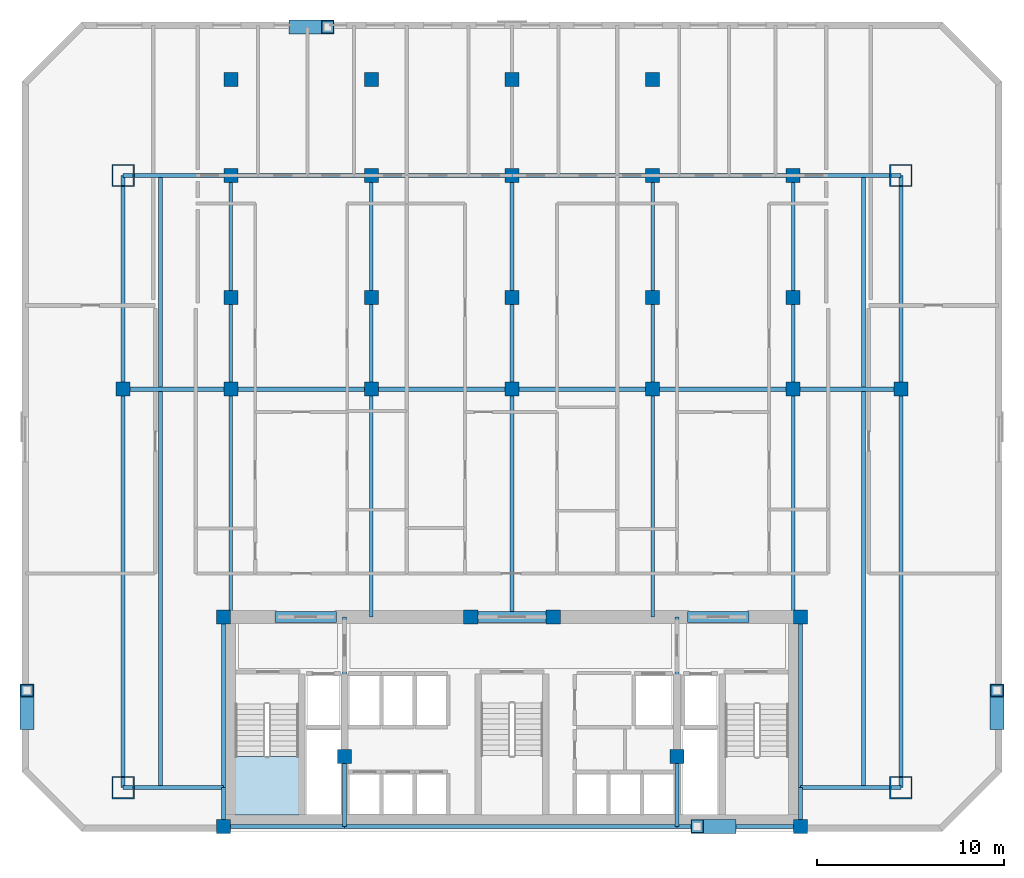
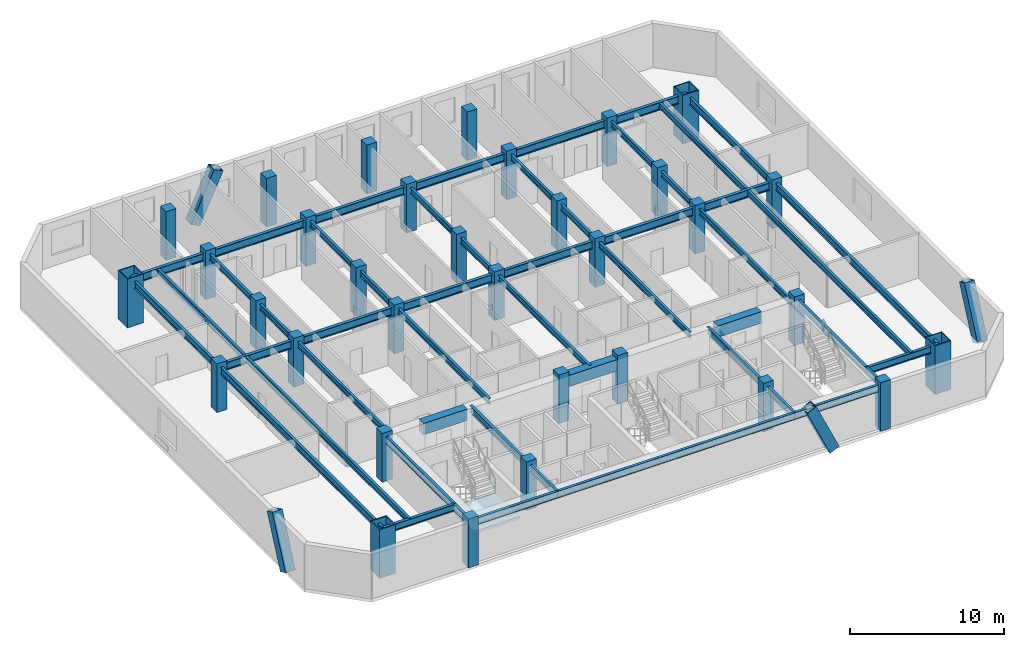
# One storey, part 1 of 8: 46 beams, 33 columns, 4 members, 1 slab, 1 element without a shape of its own.
"""IFC4 building model written with IfcOpenShell, lengths in metres."""

from ifc_helpers import new_model, si_unit, direction, frame, origin, origin_2d, place, context, subcontext, project, spatial, polyline, rectangle, hollow_rectangle, i_section, outline, extrude, material, layer, layer_set, material_profile, profile_set, type_object, element, aggregate, save


model = new_model("IFC4")

# Units and contexts
model_context = context("Model", 3, precision=1e-05, world=origin(), true_north=direction((0.0, 1.0)))
body_context = subcontext(model_context, "Body", "Model", "MODEL_VIEW")
ifc_project = project(units=[si_unit("LENGTHUNIT", "METRE"), si_unit("AREAUNIT", "SQUARE_METRE"), si_unit("VOLUMEUNIT", "CUBIC_METRE"), si_unit("PLANEANGLEUNIT", "RADIAN"), si_unit("MASSUNIT", "GRAM", prefix="KILO")], contexts=[model_context])

# Site, building, storey
site_placement = place(None, origin())
site = spatial("IfcSite", under=ifc_project, at=site_placement, CompositionType="ELEMENT")
building_placement = place(site_placement, origin())
building = spatial("IfcBuilding", under=site, at=building_placement, Name="Ventersveld Concourse Tower", CompositionType="ELEMENT")
storey_placement = place(building_placement, frame((0.0, 0.0, 131.10009765625)))
storey = spatial("IfcBuildingStorey", under=building, at=storey_placement, Name="L32", CompositionType="ELEMENT", Elevation=131.10009765625)

# Columns
ifc_material_1 = material(Name="Concrete C50/60", Category="concrete")
ifc_material_profile_1 = material_profile(ifc_material_1, rectangle(XDim=0.75, YDim=0.75, at=origin_2d()), Name="RC 750x750")
ifc_profile_set_1 = profile_set([ifc_material_profile_1], Name="Concrete C50/60")
column_type_1 = type_object("IfcColumnType", Name="COL-RC750", PredefinedType="COLUMN", material=ifc_profile_set_1)
for number, where, z_axis, x_axis, name in (
    (1, (13.35009765625, 0.280029296875, 0.0), (0.0, 0.0, 1.0), (1.0, 0.0, 0.0), "L32 Core Spine Column CC-SW"),
    (2, (44.14990234375, 0.280029296875, 0.0), (0.0, 0.0, 1.0), (1.0, 0.0, 0.0), "L32 Core Spine Column CC-SE"),
    (3, (13.35009765625, 11.449951171875, 0.0), (0.0, 0.0, 1.0), (1.0, 0.0, 0.0), "L32 Core Spine Column CC-NW"),
    (4, (44.14990234375, 11.449951171875, 0.0), (0.0, 0.0, 1.0), (1.0, 0.0, 0.0), "L32 Core Spine Column CC-NE"),
    (5, (19.820068359375, 4.0, 0.0), (0.0, 0.0, 1.0), (1.0, 0.0, 0.0), "L32 Core Spine Column CM-1"),
    (6, (37.550048828125, 4.0, 0.0), (0.0, 0.0, 1.0), (1.0, 0.0, 0.0), "L32 Core Spine Column CM-2"),
    (7, (26.550048828125, 11.449951171875, 0.0), (0.0, 0.0, 1.0), (1.0, 0.0, 0.0), "L32 Core Spine Column CM-3"),
    (8, (30.949951171875, 11.449951171875, 0.0), (0.0, 0.0, 1.0), (1.0, 0.0, 0.0), "L32 Core Spine Column CM-4"),
    (9, (8.0, 23.60009765625, 0.0), (0.0, 0.0, 1.0), (1.0, 0.0, 0.0), "L32 Interior Gravity Column X=8.00 Y=23.60"),
    (10, (13.75, 23.60009765625, 0.0), (0.0, 0.0, 1.0), (1.0, 0.0, 0.0), "L32 Interior Gravity Column X=13.75 Y=23.60"),
    (11, (21.25, 23.60009765625, 0.0), (0.0, 0.0, 1.0), (1.0, 0.0, 0.0), "L32 Interior Gravity Column X=21.25 Y=23.60"),
    (12, (28.75, 23.60009765625, 0.0), (0.0, 0.0, 1.0), (1.0, 0.0, 0.0), "L32 Interior Gravity Column X=28.75 Y=23.60"),
    (13, (36.25, 23.60009765625, 0.0), (0.0, 0.0, 1.0), (1.0, 0.0, 0.0), "L32 Interior Gravity Column X=36.25 Y=23.60"),
    (14, (43.75, 23.60009765625, 0.0), (0.0, 0.0, 1.0), (1.0, 0.0, 0.0), "L32 Interior Gravity Column X=43.75 Y=23.60"),
    (15, (49.5, 23.60009765625, 0.0), (0.0, 0.0, 1.0), (1.0, 0.0, 0.0), "L32 Interior Gravity Column X=49.50 Y=23.60"),
    (16, (13.75, 28.5, 0.0), (0.0, 0.0, 1.0), (1.0, 0.0, 0.0), "L32 Upper-North Gravity Column X=13.75 Y=28.50"),
    (17, (21.25, 28.5, 0.0), (0.0, 0.0, 1.0), (1.0, 0.0, 0.0), "L32 Upper-North Gravity Column X=21.25 Y=28.50"),
    (18, (28.75, 28.5, 0.0), (0.0, 0.0, 1.0), (1.0, 0.0, 0.0), "L32 Upper-North Gravity Column X=28.75 Y=28.50"),
    (19, (36.25, 28.5, 0.0), (0.0, 0.0, 1.0), (1.0, 0.0, 0.0), "L32 Upper-North Gravity Column X=36.25 Y=28.50"),
    (20, (43.75, 28.5, 0.0), (0.0, 0.0, 1.0), (1.0, 0.0, 0.0), "L32 Upper-North Gravity Column X=43.75 Y=28.50"),
    (21, (13.75, 40.1201171875, 0.0), (0.0, 0.0, 1.0), (1.0, 0.0, 0.0), "L32 North Brace Node Column X=13.75 Y=40.12"),
    (22, (21.25, 40.1201171875, 0.0), (0.0, 0.0, 1.0), (1.0, 0.0, 0.0), "L32 North Brace Node Column X=21.25 Y=40.12"),
    (23, (28.75, 40.1201171875, 0.0), (0.0, 0.0, 1.0), (1.0, 0.0, 0.0), "L32 North Brace Node Column X=28.75 Y=40.12"),
    (24, (36.25, 40.1201171875, 0.0), (0.0, 0.0, 1.0), (1.0, 0.0, 0.0), "L32 North Brace Node Column X=36.25 Y=40.12"),
    (25, (13.75, 35.0, 0.0), (0.0, 0.0, 1.0), (1.0, 0.0, 0.0), "L32 Mid-North Column X=13.75 Y=35.00"),
    (26, (21.25, 35.0, 0.0), (0.0, 0.0, 1.0), (1.0, 0.0, 0.0), "L32 Mid-North Column X=21.25 Y=35.00"),
    (27, (28.75, 35.0, 0.0), (0.0, 0.0, 1.0), (1.0, 0.0, 0.0), "L32 Mid-North Column X=28.75 Y=35.00"),
    (28, (36.25, 35.0, 0.0), (0.0, 0.0, 1.0), (1.0, 0.0, 0.0), "L32 Mid-North Column X=36.25 Y=35.00"),
    (29, (43.75, 35.0, 0.0), (0.0, 0.0, 1.0), (1.0, 0.0, 0.0), "L32 Mid-North Column X=43.75 Y=35.00"),
):
    element("IfcColumn", number, at=place(storey_placement, frame(where, z_axis=z_axis, x_axis=x_axis)), inside=storey, type_object=column_type_1, Name=name, PredefinedType="COLUMN", context=body_context, shape_type="SweptSolid", body=[
        extrude(rectangle(XDim=0.75, YDim=0.75, at=origin_2d()), origin(), (0.0, 0.0, 1.0), 3.849853515625),
    ])
ifc_material_2 = material(Name="Structural steel S460ML", Category="steel")
ifc_material_profile_2 = material_profile(ifc_material_2, hollow_rectangle(XDim=1.199951171875, YDim=1.199951171875, WallThickness=0.070068359375, at=origin_2d()), Name="BOX 1200x1200x70")
ifc_profile_set_2 = profile_set([ifc_material_profile_2], Name="Structural steel S460ML")
column_type_2 = type_object("IfcColumnType", Name="MC-1200", PredefinedType="USERDEFINED", material=ifc_profile_set_2)
for number, where, z_axis, x_axis, name in (
    (30, (8.0, 2.35009765625, 0.0), (0.0, 0.0, 1.0), (1.0, 0.0, 0.0), "L32 Corner Mega-Column MC-SW"),
    (31, (49.5, 2.35009765625, 0.0), (0.0, 0.0, 1.0), (1.0, 0.0, 0.0), "L32 Corner Mega-Column MC-SE"),
    (32, (49.5, 35.0, 0.0), (0.0, 0.0, 1.0), (1.0, 0.0, 0.0), "L32 Corner Mega-Column MC-NE"),
    (33, (8.0, 35.0, 0.0), (0.0, 0.0, 1.0), (1.0, 0.0, 0.0), "L32 Corner Mega-Column MC-NW"),
):
    element("IfcColumn", number, at=place(storey_placement, frame(where, z_axis=z_axis, x_axis=x_axis)), inside=storey, type_object=column_type_2, Name=name, ObjectType="MEGA_COLUMN", PredefinedType="USERDEFINED", context=body_context, shape_type="SweptSolid", body=[
        extrude(hollow_rectangle(XDim=1.199951171875, YDim=1.199951171875, WallThickness=0.070068359375, at=origin_2d()), origin(), (0.0, 0.0, 1.0), 3.849853515625),
    ])

# Beams
ifc_material_3 = material(Name="Structural steel S355J2", Category="steel")
ifc_material_profile_3 = material_profile(ifc_material_3, i_section(OverallWidth=0.18994140625, OverallDepth=0.453369140625, WebThickness=0.008544921875, FlangeThickness=0.0126953125, FilletRadius=0.01025390625, at=origin_2d()), Name="UB 457x191x67")
ifc_profile_set_3 = profile_set([ifc_material_profile_3], Name="Structural steel S355J2")
beam_type_1 = type_object("IfcBeamType", Name="BM-UB457", PredefinedType="BEAM", material=ifc_profile_set_3)
beam_1_placement = place(storey_placement, frame((10.0, 2.35009765625, 3.273193359375), z_axis=(0.0, 1.0, 0.0), x_axis=(-1.0, 0.0, 0.0)))
element("IfcBeam", 34, at=beam_1_placement, inside=storey, type_object=beam_type_1, Name="L32 N-S Composite Floor Beam South X=10.00", PredefinedType="BEAM", context=body_context, shape_type="SweptSolid", body=[
    extrude(i_section(OverallWidth=0.18994140625, OverallDepth=0.453369140625, WebThickness=0.008544921875, FlangeThickness=0.0126953125, FilletRadius=0.01025390625, at=origin_2d()), origin(), (0.0, 0.0, 1.0), 21.15478515625),
])
beam_2_placement = place(storey_placement, frame((10.0, 23.695068359375, 3.273193359375), z_axis=(0.0, 1.0, 0.0), x_axis=(-1.0, 0.0, 0.0)))
element("IfcBeam", 35, at=beam_2_placement, inside=storey, type_object=beam_type_1, Name="L32 N-S Composite Floor Beam Mid X=10.00", PredefinedType="BEAM", context=body_context, shape_type="SweptSolid", body=[
    extrude(i_section(OverallWidth=0.18994140625, OverallDepth=0.453369140625, WebThickness=0.008544921875, FlangeThickness=0.0126953125, FilletRadius=0.01025390625, at=origin_2d()), origin(), (0.0, 0.0, 1.0), 11.304931640625),
])
beam_3_placement = place(storey_placement, frame((13.75, 11.449951171875, 3.273193359375), z_axis=(0.0, 1.0, 0.0), x_axis=(-1.0, 0.0, 0.0)))
element("IfcBeam", 36, at=beam_3_placement, inside=storey, type_object=beam_type_1, Name="L32 N-S Composite Floor Beam South X=13.75", PredefinedType="BEAM", context=body_context, shape_type="SweptSolid", body=[
    extrude(i_section(OverallWidth=0.18994140625, OverallDepth=0.453369140625, WebThickness=0.008544921875, FlangeThickness=0.0126953125, FilletRadius=0.01025390625, at=origin_2d()), origin(), (0.0, 0.0, 1.0), 12.150146484375),
])
beam_4_placement = place(storey_placement, frame((13.75, 23.60009765625, 3.273193359375), z_axis=(0.0, 1.0, 0.0), x_axis=(-1.0, 0.0, 0.0)))
element("IfcBeam", 37, at=beam_4_placement, inside=storey, type_object=beam_type_1, Name="L32 N-S Composite Floor Beam Mid X=13.75", PredefinedType="BEAM", context=body_context, shape_type="SweptSolid", body=[
    extrude(i_section(OverallWidth=0.18994140625, OverallDepth=0.453369140625, WebThickness=0.008544921875, FlangeThickness=0.0126953125, FilletRadius=0.01025390625, at=origin_2d()), origin(), (0.0, 0.0, 1.0), 11.39990234375),
])
beam_5_placement = place(storey_placement, frame((21.25, 11.449951171875, 3.273193359375), z_axis=(0.0, 1.0, 0.0), x_axis=(-1.0, 0.0, 0.0)))
element("IfcBeam", 38, at=beam_5_placement, inside=storey, type_object=beam_type_1, Name="L32 N-S Composite Floor Beam South X=21.25", PredefinedType="BEAM", context=body_context, shape_type="SweptSolid", body=[
    extrude(i_section(OverallWidth=0.18994140625, OverallDepth=0.453369140625, WebThickness=0.008544921875, FlangeThickness=0.0126953125, FilletRadius=0.01025390625, at=origin_2d()), origin(), (0.0, 0.0, 1.0), 12.150146484375),
])
beam_6_placement = place(storey_placement, frame((21.25, 23.60009765625, 3.273193359375), z_axis=(0.0, 1.0, 0.0), x_axis=(-1.0, 0.0, 0.0)))
element("IfcBeam", 39, at=beam_6_placement, inside=storey, type_object=beam_type_1, Name="L32 N-S Composite Floor Beam Mid X=21.25", PredefinedType="BEAM", context=body_context, shape_type="SweptSolid", body=[
    extrude(i_section(OverallWidth=0.18994140625, OverallDepth=0.453369140625, WebThickness=0.008544921875, FlangeThickness=0.0126953125, FilletRadius=0.01025390625, at=origin_2d()), origin(), (0.0, 0.0, 1.0), 11.39990234375),
])
beam_7_placement = place(storey_placement, frame((28.75, 11.449951171875, 3.273193359375), z_axis=(0.0, 1.0, 0.0), x_axis=(-1.0, 0.0, 0.0)))
element("IfcBeam", 40, at=beam_7_placement, inside=storey, type_object=beam_type_1, Name="L32 N-S Composite Floor Beam South X=28.75", PredefinedType="BEAM", context=body_context, shape_type="SweptSolid", body=[
    extrude(i_section(OverallWidth=0.18994140625, OverallDepth=0.453369140625, WebThickness=0.008544921875, FlangeThickness=0.0126953125, FilletRadius=0.01025390625, at=origin_2d()), origin(), (0.0, 0.0, 1.0), 12.150146484375),
])
beam_8_placement = place(storey_placement, frame((28.75, 23.60009765625, 3.273193359375), z_axis=(0.0, 1.0, 0.0), x_axis=(-1.0, 0.0, 0.0)))
element("IfcBeam", 41, at=beam_8_placement, inside=storey, type_object=beam_type_1, Name="L32 N-S Composite Floor Beam Mid X=28.75", PredefinedType="BEAM", context=body_context, shape_type="SweptSolid", body=[
    extrude(i_section(OverallWidth=0.18994140625, OverallDepth=0.453369140625, WebThickness=0.008544921875, FlangeThickness=0.0126953125, FilletRadius=0.01025390625, at=origin_2d()), origin(), (0.0, 0.0, 1.0), 11.39990234375),
])
beam_9_placement = place(storey_placement, frame((36.25, 11.449951171875, 3.273193359375), z_axis=(0.0, 1.0, 0.0), x_axis=(-1.0, 0.0, 0.0)))
element("IfcBeam", 42, at=beam_9_placement, inside=storey, type_object=beam_type_1, Name="L32 N-S Composite Floor Beam South X=36.25", PredefinedType="BEAM", context=body_context, shape_type="SweptSolid", body=[
    extrude(i_section(OverallWidth=0.18994140625, OverallDepth=0.453369140625, WebThickness=0.008544921875, FlangeThickness=0.0126953125, FilletRadius=0.01025390625, at=origin_2d()), origin(), (0.0, 0.0, 1.0), 12.150146484375),
])
beam_10_placement = place(storey_placement, frame((36.25, 23.60009765625, 3.273193359375), z_axis=(0.0, 1.0, 0.0), x_axis=(-1.0, 0.0, 0.0)))
element("IfcBeam", 43, at=beam_10_placement, inside=storey, type_object=beam_type_1, Name="L32 N-S Composite Floor Beam Mid X=36.25", PredefinedType="BEAM", context=body_context, shape_type="SweptSolid", body=[
    extrude(i_section(OverallWidth=0.18994140625, OverallDepth=0.453369140625, WebThickness=0.008544921875, FlangeThickness=0.0126953125, FilletRadius=0.01025390625, at=origin_2d()), origin(), (0.0, 0.0, 1.0), 11.39990234375),
])
beam_11_placement = place(storey_placement, frame((43.75, 11.449951171875, 3.273193359375), z_axis=(0.0, 1.0, 0.0), x_axis=(-1.0, 0.0, 0.0)))
element("IfcBeam", 44, at=beam_11_placement, inside=storey, type_object=beam_type_1, Name="L32 N-S Composite Floor Beam South X=43.75", PredefinedType="BEAM", context=body_context, shape_type="SweptSolid", body=[
    extrude(i_section(OverallWidth=0.18994140625, OverallDepth=0.453369140625, WebThickness=0.008544921875, FlangeThickness=0.0126953125, FilletRadius=0.01025390625, at=origin_2d()), origin(), (0.0, 0.0, 1.0), 12.150146484375),
])
beam_12_placement = place(storey_placement, frame((43.75, 23.60009765625, 3.273193359375), z_axis=(0.0, 1.0, 0.0), x_axis=(-1.0, 0.0, 0.0)))
element("IfcBeam", 45, at=beam_12_placement, inside=storey, type_object=beam_type_1, Name="L32 N-S Composite Floor Beam Mid X=43.75", PredefinedType="BEAM", context=body_context, shape_type="SweptSolid", body=[
    extrude(i_section(OverallWidth=0.18994140625, OverallDepth=0.453369140625, WebThickness=0.008544921875, FlangeThickness=0.0126953125, FilletRadius=0.01025390625, at=origin_2d()), origin(), (0.0, 0.0, 1.0), 11.39990234375),
])
beam_13_placement = place(storey_placement, frame((47.5, 2.35009765625, 3.273193359375), z_axis=(0.0, 1.0, 0.0), x_axis=(-1.0, 0.0, 0.0)))
element("IfcBeam", 46, at=beam_13_placement, inside=storey, type_object=beam_type_1, Name="L32 N-S Composite Floor Beam South X=47.50", PredefinedType="BEAM", context=body_context, shape_type="SweptSolid", body=[
    extrude(i_section(OverallWidth=0.18994140625, OverallDepth=0.453369140625, WebThickness=0.008544921875, FlangeThickness=0.0126953125, FilletRadius=0.01025390625, at=origin_2d()), origin(), (0.0, 0.0, 1.0), 21.15478515625),
])
beam_14_placement = place(storey_placement, frame((47.5, 23.695068359375, 3.273193359375), z_axis=(0.0, 1.0, 0.0), x_axis=(-1.0, 0.0, 0.0)))
element("IfcBeam", 47, at=beam_14_placement, inside=storey, type_object=beam_type_1, Name="L32 N-S Composite Floor Beam Mid X=47.50", PredefinedType="BEAM", context=body_context, shape_type="SweptSolid", body=[
    extrude(i_section(OverallWidth=0.18994140625, OverallDepth=0.453369140625, WebThickness=0.008544921875, FlangeThickness=0.0126953125, FilletRadius=0.01025390625, at=origin_2d()), origin(), (0.0, 0.0, 1.0), 11.304931640625),
])
ifc_material_4 = material(Name="Concrete C60/75", Category="concrete")
ifc_material_profile_4 = material_profile(ifc_material_4, rectangle(XDim=0.60009765625, YDim=0.89990234375, at=origin_2d()), Name="RC 600x900")
ifc_profile_set_4 = profile_set([ifc_material_profile_4], Name="Concrete C60/75")
beam_type_2 = type_object("IfcBeamType", Name="CB-RC600x900L", PredefinedType="LINTEL", material=ifc_profile_set_4)
beam_15_placement = place(storey_placement, frame((16.10009765625, 11.449951171875, 3.0498046875), z_axis=(1.0, 0.0, 0.0), x_axis=(0.0, 1.0, 0.0)))
element("IfcBeam", 48, at=beam_15_placement, inside=storey, type_object=beam_type_2, Name="L32 Core Coupling Lintel Beam 1", PredefinedType="LINTEL", context=body_context, shape_type="SweptSolid", body=[
    extrude(rectangle(XDim=0.60009765625, YDim=0.89990234375, at=origin_2d()), origin(), (0.0, 0.0, 1.0), 3.2998046875),
])
beam_16_placement = place(storey_placement, frame((26.5, 11.449951171875, 3.0498046875), z_axis=(1.0, 0.0, 0.0), x_axis=(0.0, 1.0, 0.0)))
element("IfcBeam", 49, at=beam_16_placement, inside=storey, type_object=beam_type_2, Name="L32 Core Coupling Lintel Beam 2", PredefinedType="LINTEL", context=body_context, shape_type="SweptSolid", body=[
    extrude(rectangle(XDim=0.60009765625, YDim=0.89990234375, at=origin_2d()), origin(), (0.0, 0.0, 1.0), 4.5),
])
beam_17_placement = place(storey_placement, frame((38.10009765625, 11.449951171875, 3.0498046875), z_axis=(1.0, 0.0, 0.0), x_axis=(0.0, 1.0, 0.0)))
element("IfcBeam", 50, at=beam_17_placement, inside=storey, type_object=beam_type_2, Name="L32 Core Coupling Lintel Beam 3", PredefinedType="LINTEL", context=body_context, shape_type="SweptSolid", body=[
    extrude(rectangle(XDim=0.60009765625, YDim=0.89990234375, at=origin_2d()), origin(), (0.0, 0.0, 1.0), 3.2998046875),
])
ifc_material_profile_5 = material_profile(ifc_material_3, i_section(OverallWidth=0.2119140625, OverallDepth=0.54443359375, WebThickness=0.0126953125, FlangeThickness=0.021240234375, FilletRadius=0.0126953125, at=origin_2d()), Name="UB 533x210x122")
ifc_profile_set_5 = profile_set([ifc_material_profile_5], Name="Structural steel S355J2")
beam_type_3 = type_object("IfcBeamType", Name="GRD-UB533H", PredefinedType="T_BEAM", material=ifc_profile_set_5)
beam_18_placement = place(storey_placement, frame((13.35009765625, 0.280029296875, 3.2275390625), z_axis=(0.0, 1.0, 0.0), x_axis=(-1.0, 0.0, 0.0)))
element("IfcBeam", 51, at=beam_18_placement, inside=storey, type_object=beam_type_3, Name="L32 Core West Tie Beam S", PredefinedType="T_BEAM", context=body_context, shape_type="SweptSolid", body=[
    extrude(i_section(OverallWidth=0.2119140625, OverallDepth=0.54443359375, WebThickness=0.0126953125, FlangeThickness=0.021240234375, FilletRadius=0.0126953125, at=origin_2d()), origin(), (0.0, 0.0, 1.0), 2.070068359375),
])
beam_19_placement = place(storey_placement, frame((13.35009765625, 2.35009765625, 3.2275390625), z_axis=(0.0, 1.0, 0.0), x_axis=(-1.0, 0.0, 0.0)))
element("IfcBeam", 52, at=beam_19_placement, inside=storey, type_object=beam_type_3, Name="L32 Core West Tie Beam N", PredefinedType="T_BEAM", context=body_context, shape_type="SweptSolid", body=[
    extrude(i_section(OverallWidth=0.2119140625, OverallDepth=0.54443359375, WebThickness=0.0126953125, FlangeThickness=0.021240234375, FilletRadius=0.0126953125, at=origin_2d()), origin(), (0.0, 0.0, 1.0), 9.099853515625),
])
beam_20_placement = place(storey_placement, frame((44.14990234375, 0.280029296875, 3.2275390625), z_axis=(0.0, 1.0, 0.0), x_axis=(-1.0, 0.0, 0.0)))
element("IfcBeam", 53, at=beam_20_placement, inside=storey, type_object=beam_type_3, Name="L32 Core East Tie Beam S", PredefinedType="T_BEAM", context=body_context, shape_type="SweptSolid", body=[
    extrude(i_section(OverallWidth=0.2119140625, OverallDepth=0.54443359375, WebThickness=0.0126953125, FlangeThickness=0.021240234375, FilletRadius=0.0126953125, at=origin_2d()), origin(), (0.0, 0.0, 1.0), 2.070068359375),
])
beam_21_placement = place(storey_placement, frame((44.14990234375, 2.35009765625, 3.2275390625), z_axis=(0.0, 1.0, 0.0), x_axis=(-1.0, 0.0, 0.0)))
element("IfcBeam", 54, at=beam_21_placement, inside=storey, type_object=beam_type_3, Name="L32 Core East Tie Beam N", PredefinedType="T_BEAM", context=body_context, shape_type="SweptSolid", body=[
    extrude(i_section(OverallWidth=0.2119140625, OverallDepth=0.54443359375, WebThickness=0.0126953125, FlangeThickness=0.021240234375, FilletRadius=0.0126953125, at=origin_2d()), origin(), (0.0, 0.0, 1.0), 9.099853515625),
])
beam_22_placement = place(storey_placement, frame((13.35009765625, 0.280029296875, 3.2275390625), z_axis=(1.0, 0.0, 0.0), x_axis=(0.0, 1.0, 0.0)))
element("IfcBeam", 55, at=beam_22_placement, inside=storey, type_object=beam_type_3, Name="L32 Core South Tie Beam W", PredefinedType="T_BEAM", context=body_context, shape_type="SweptSolid", body=[
    extrude(i_section(OverallWidth=0.2119140625, OverallDepth=0.54443359375, WebThickness=0.0126953125, FlangeThickness=0.021240234375, FilletRadius=0.0126953125, at=origin_2d()), origin(), (0.0, 0.0, 1.0), 6.469970703125),
])
beam_23_placement = place(storey_placement, frame((19.820068359375, 0.280029296875, 3.2275390625), z_axis=(1.0, 0.0, 0.0), x_axis=(0.0, 1.0, 0.0)))
element("IfcBeam", 56, at=beam_23_placement, inside=storey, type_object=beam_type_3, Name="L32 Core South Tie Beam C", PredefinedType="T_BEAM", context=body_context, shape_type="SweptSolid", body=[
    extrude(i_section(OverallWidth=0.2119140625, OverallDepth=0.54443359375, WebThickness=0.0126953125, FlangeThickness=0.021240234375, FilletRadius=0.0126953125, at=origin_2d()), origin(), (0.0, 0.0, 1.0), 17.72998046875),
])
beam_24_placement = place(storey_placement, frame((37.550048828125, 0.280029296875, 3.2275390625), z_axis=(1.0, 0.0, 0.0), x_axis=(0.0, 1.0, 0.0)))
element("IfcBeam", 57, at=beam_24_placement, inside=storey, type_object=beam_type_3, Name="L32 Core South Tie Beam E", PredefinedType="T_BEAM", context=body_context, shape_type="SweptSolid", body=[
    extrude(i_section(OverallWidth=0.2119140625, OverallDepth=0.54443359375, WebThickness=0.0126953125, FlangeThickness=0.021240234375, FilletRadius=0.0126953125, at=origin_2d()), origin(), (0.0, 0.0, 1.0), 6.599853515625),
])
beam_25_placement = place(storey_placement, frame((19.820068359375, 0.280029296875, 3.2275390625), z_axis=(0.0, 1.0, 0.0), x_axis=(-1.0, 0.0, 0.0)))
element("IfcBeam", 58, at=beam_25_placement, inside=storey, type_object=beam_type_3, Name="L32 Core Spine N-S Tie Beam W1", PredefinedType="T_BEAM", context=body_context, shape_type="SweptSolid", body=[
    extrude(i_section(OverallWidth=0.2119140625, OverallDepth=0.54443359375, WebThickness=0.0126953125, FlangeThickness=0.021240234375, FilletRadius=0.0126953125, at=origin_2d()), origin(), (0.0, 0.0, 1.0), 3.719970703125),
])
beam_26_placement = place(storey_placement, frame((19.820068359375, 4.0, 3.2275390625), z_axis=(0.0, 1.0, 0.0), x_axis=(-1.0, 0.0, 0.0)))
element("IfcBeam", 59, at=beam_26_placement, inside=storey, type_object=beam_type_3, Name="L32 Core Spine N-S Tie Beam W2", PredefinedType="T_BEAM", context=body_context, shape_type="SweptSolid", body=[
    extrude(i_section(OverallWidth=0.2119140625, OverallDepth=0.54443359375, WebThickness=0.0126953125, FlangeThickness=0.021240234375, FilletRadius=0.0126953125, at=origin_2d()), origin(), (0.0, 0.0, 1.0), 7.449951171875),
])
beam_27_placement = place(storey_placement, frame((37.550048828125, 0.280029296875, 3.2275390625), z_axis=(0.0, 1.0, 0.0), x_axis=(-1.0, 0.0, 0.0)))
element("IfcBeam", 60, at=beam_27_placement, inside=storey, type_object=beam_type_3, Name="L32 Core Spine N-S Tie Beam E1", PredefinedType="T_BEAM", context=body_context, shape_type="SweptSolid", body=[
    extrude(i_section(OverallWidth=0.2119140625, OverallDepth=0.54443359375, WebThickness=0.0126953125, FlangeThickness=0.021240234375, FilletRadius=0.0126953125, at=origin_2d()), origin(), (0.0, 0.0, 1.0), 3.719970703125),
])
beam_28_placement = place(storey_placement, frame((37.550048828125, 4.0, 3.2275390625), z_axis=(0.0, 1.0, 0.0), x_axis=(-1.0, 0.0, 0.0)))
element("IfcBeam", 61, at=beam_28_placement, inside=storey, type_object=beam_type_3, Name="L32 Core Spine N-S Tie Beam E2", PredefinedType="T_BEAM", context=body_context, shape_type="SweptSolid", body=[
    extrude(i_section(OverallWidth=0.2119140625, OverallDepth=0.54443359375, WebThickness=0.0126953125, FlangeThickness=0.021240234375, FilletRadius=0.0126953125, at=origin_2d()), origin(), (0.0, 0.0, 1.0), 7.449951171875),
])
ifc_material_profile_6 = material_profile(ifc_material_3, i_section(OverallWidth=0.230224609375, OverallDepth=0.6171875, WebThickness=0.01318359375, FlangeThickness=0.022216796875, FilletRadius=0.0126953125, at=origin_2d()), Name="UB 610x229x140")
ifc_profile_set_6 = profile_set([ifc_material_profile_6], Name="Structural steel S355J2")
beam_type_4 = type_object("IfcBeamType", Name="GRD-UB610", PredefinedType="USERDEFINED", material=ifc_profile_set_6)
beam_29_placement = place(storey_placement, frame((8.0, 23.60009765625, 3.19140625), z_axis=(1.0, 0.0, 0.0), x_axis=(0.0, 1.0, 0.0)))
element("IfcBeam", 62, at=beam_29_placement, inside=storey, type_object=beam_type_4, Name="L32 Primary E-W Grid Girder Y=23.60 #1", ObjectType="GIRDER", PredefinedType="USERDEFINED", context=body_context, shape_type="SweptSolid", body=[
    extrude(i_section(OverallWidth=0.230224609375, OverallDepth=0.6171875, WebThickness=0.01318359375, FlangeThickness=0.022216796875, FilletRadius=0.0126953125, at=origin_2d()), origin(), (0.0, 0.0, 1.0), 5.75),
])
for number, where, z_axis, x_axis, name in (
    (63, (13.75, 23.60009765625, 3.19140625), (1.0, 0.0, 0.0), (0.0, 1.0, 0.0), "L32 Primary E-W Grid Girder Y=23.60 #2"),
    (64, (21.25, 23.60009765625, 3.19140625), (1.0, 0.0, 0.0), (0.0, 1.0, 0.0), "L32 Primary E-W Grid Girder Y=23.60 #3"),
    (65, (28.75, 23.60009765625, 3.19140625), (1.0, 0.0, 0.0), (0.0, 1.0, 0.0), "L32 Primary E-W Grid Girder Y=23.60 #4"),
    (66, (36.25, 23.60009765625, 3.19140625), (1.0, 0.0, 0.0), (0.0, 1.0, 0.0), "L32 Primary E-W Grid Girder Y=23.60 #5"),
):
    element("IfcBeam", number, at=place(storey_placement, frame(where, z_axis=z_axis, x_axis=x_axis)), inside=storey, type_object=beam_type_4, Name=name, ObjectType="GIRDER", PredefinedType="USERDEFINED", context=body_context, shape_type="SweptSolid", body=[
        extrude(i_section(OverallWidth=0.230224609375, OverallDepth=0.6171875, WebThickness=0.01318359375, FlangeThickness=0.022216796875, FilletRadius=0.0126953125, at=origin_2d()), origin(), (0.0, 0.0, 1.0), 7.5),
    ])
for number, where, z_axis, x_axis, name in (
    (67, (43.75, 23.60009765625, 3.19140625), (1.0, 0.0, 0.0), (0.0, 1.0, 0.0), "L32 Primary E-W Grid Girder Y=23.60 #6"),
    (68, (8.0, 35.0, 3.19140625), (1.0, 0.0, 0.0), (0.0, 1.0, 0.0), "L32 E-W Grid Girder Y=35.00 #1"),
):
    element("IfcBeam", number, at=place(storey_placement, frame(where, z_axis=z_axis, x_axis=x_axis)), inside=storey, type_object=beam_type_4, Name=name, ObjectType="GIRDER", PredefinedType="USERDEFINED", context=body_context, shape_type="SweptSolid", body=[
        extrude(i_section(OverallWidth=0.230224609375, OverallDepth=0.6171875, WebThickness=0.01318359375, FlangeThickness=0.022216796875, FilletRadius=0.0126953125, at=origin_2d()), origin(), (0.0, 0.0, 1.0), 5.75),
    ])
for number, where, z_axis, x_axis, name in (
    (69, (13.75, 35.0, 3.19140625), (1.0, 0.0, 0.0), (0.0, 1.0, 0.0), "L32 E-W Grid Girder Y=35.00 #2"),
    (70, (21.25, 35.0, 3.19140625), (1.0, 0.0, 0.0), (0.0, 1.0, 0.0), "L32 E-W Grid Girder Y=35.00 #3"),
    (71, (28.75, 35.0, 3.19140625), (1.0, 0.0, 0.0), (0.0, 1.0, 0.0), "L32 E-W Grid Girder Y=35.00 #4"),
    (72, (36.25, 35.0, 3.19140625), (1.0, 0.0, 0.0), (0.0, 1.0, 0.0), "L32 E-W Grid Girder Y=35.00 #5"),
):
    element("IfcBeam", number, at=place(storey_placement, frame(where, z_axis=z_axis, x_axis=x_axis)), inside=storey, type_object=beam_type_4, Name=name, ObjectType="GIRDER", PredefinedType="USERDEFINED", context=body_context, shape_type="SweptSolid", body=[
        extrude(i_section(OverallWidth=0.230224609375, OverallDepth=0.6171875, WebThickness=0.01318359375, FlangeThickness=0.022216796875, FilletRadius=0.0126953125, at=origin_2d()), origin(), (0.0, 0.0, 1.0), 7.5),
    ])
beam_30_placement = place(storey_placement, frame((43.75, 35.0, 3.19140625), z_axis=(1.0, 0.0, 0.0), x_axis=(0.0, 1.0, 0.0)))
element("IfcBeam", 73, at=beam_30_placement, inside=storey, type_object=beam_type_4, Name="L32 E-W Grid Girder Y=35.00 #6", ObjectType="GIRDER", PredefinedType="USERDEFINED", context=body_context, shape_type="SweptSolid", body=[
    extrude(i_section(OverallWidth=0.230224609375, OverallDepth=0.6171875, WebThickness=0.01318359375, FlangeThickness=0.022216796875, FilletRadius=0.0126953125, at=origin_2d()), origin(), (0.0, 0.0, 1.0), 5.75),
])

# Members
ifc_material_5 = material(Name="Structural steel S355ML", Category="steel")
ifc_material_profile_7 = material_profile(ifc_material_5, hollow_rectangle(XDim=0.75, YDim=0.75, WallThickness=0.044921875, at=origin_2d()), Name="BOX 750x750x45")
ifc_profile_set_7 = profile_set([ifc_material_profile_7], Name="Structural steel S355ML")
member_type = type_object("IfcMemberType", Name="MB-750x750", PredefinedType="BRACE", material=ifc_profile_set_7)
for number, where, z_axis, x_axis, name in (
    (74, (17.19775390625, 42.919921875, -0.25), (0.417681012355, 0.0, 0.908593733149), (0.0, 1.0, 0.0), "L32 Exterior Mega-Brace N (Module M07)"),
    (75, (40.352294921875, 0.280029296875, -0.25), (-0.417681012355, 0.0, 0.908593733149), (0.0, -1.0, 0.0), "L32 Exterior Mega-Brace S (Module M07)"),
    (76, (2.8798828125, 5.7978515625, -0.25), (0.0, 0.417632177029, 0.908616181184), (-1.0, 0.0, 0.0), "L32 Exterior Mega-Brace W (Module M07)"),
    (77, (54.6201171875, 5.7978515625, -0.25), (0.0, 0.417632177029, 0.908616181184), (-1.0, 0.0, 0.0), "L32 Exterior Mega-Brace E (Module M07)"),
):
    element("IfcMember", number, at=place(storey_placement, frame(where, z_axis=z_axis, x_axis=x_axis)), inside=storey, type_object=member_type, Name=name, PredefinedType="BRACE", context=body_context, shape_type="SweptSolid", body=[
        extrude(hollow_rectangle(XDim=0.75, YDim=0.75, WallThickness=0.044921875, at=origin_2d()), origin(), (0.0, 0.0, 1.0), 4.127197265625),
    ])

# Beams
ifc_material_profile_8 = material_profile(ifc_material_3, i_section(OverallWidth=0.2119140625, OverallDepth=0.54443359375, WebThickness=0.0126953125, FlangeThickness=0.021240234375, FilletRadius=0.0126953125, at=origin_2d()), Name="UB 533x210x122")
ifc_profile_set_8 = profile_set([ifc_material_profile_8], Name="Structural steel S355J2")
beam_type_5 = type_object("IfcBeamType", Name="SPD-UB533", PredefinedType="SPANDREL", material=ifc_profile_set_8)
for number, where, z_axis, x_axis, name in (
    (78, (8.0, 2.35009765625, 3.2275390625), (1.0, 0.0, 0.0), (0.0, 1.0, 0.0), "L32 SW Spandrel Beam"),
    (79, (44.14990234375, 2.35009765625, 3.2275390625), (1.0, 0.0, 0.0), (0.0, 1.0, 0.0), "L32 SE Spandrel Beam"),
):
    element("IfcBeam", number, at=place(storey_placement, frame(where, z_axis=z_axis, x_axis=x_axis)), inside=storey, type_object=beam_type_5, Name=name, PredefinedType="SPANDREL", context=body_context, shape_type="SweptSolid", body=[
        extrude(i_section(OverallWidth=0.2119140625, OverallDepth=0.54443359375, WebThickness=0.0126953125, FlangeThickness=0.021240234375, FilletRadius=0.0126953125, at=origin_2d()), origin(), (0.0, 0.0, 1.0), 5.35009765625),
    ])
beam_31_placement = place(storey_placement, frame((8.0, 2.35009765625, 3.2275390625), z_axis=(0.0, 1.0, 0.0), x_axis=(-1.0, 0.0, 0.0)))
element("IfcBeam", 80, at=beam_31_placement, inside=storey, type_object=beam_type_5, Name="L32 West Spandrel Beam S", PredefinedType="SPANDREL", context=body_context, shape_type="SweptSolid", body=[
    extrude(i_section(OverallWidth=0.2119140625, OverallDepth=0.54443359375, WebThickness=0.0126953125, FlangeThickness=0.021240234375, FilletRadius=0.0126953125, at=origin_2d()), origin(), (0.0, 0.0, 1.0), 21.25),
])
beam_32_placement = place(storey_placement, frame((8.0, 23.60009765625, 3.2275390625), z_axis=(0.0, 1.0, 0.0), x_axis=(-1.0, 0.0, 0.0)))
element("IfcBeam", 81, at=beam_32_placement, inside=storey, type_object=beam_type_5, Name="L32 West Spandrel Beam N", PredefinedType="SPANDREL", context=body_context, shape_type="SweptSolid", body=[
    extrude(i_section(OverallWidth=0.2119140625, OverallDepth=0.54443359375, WebThickness=0.0126953125, FlangeThickness=0.021240234375, FilletRadius=0.0126953125, at=origin_2d()), origin(), (0.0, 0.0, 1.0), 11.39990234375),
])
beam_33_placement = place(storey_placement, frame((49.5, 2.35009765625, 3.2275390625), z_axis=(0.0, 1.0, 0.0), x_axis=(-1.0, 0.0, 0.0)))
element("IfcBeam", 82, at=beam_33_placement, inside=storey, type_object=beam_type_5, Name="L32 East Spandrel Beam S", PredefinedType="SPANDREL", context=body_context, shape_type="SweptSolid", body=[
    extrude(i_section(OverallWidth=0.2119140625, OverallDepth=0.54443359375, WebThickness=0.0126953125, FlangeThickness=0.021240234375, FilletRadius=0.0126953125, at=origin_2d()), origin(), (0.0, 0.0, 1.0), 21.25),
])
beam_34_placement = place(storey_placement, frame((49.5, 23.60009765625, 3.2275390625), z_axis=(0.0, 1.0, 0.0), x_axis=(-1.0, 0.0, 0.0)))
element("IfcBeam", 83, at=beam_34_placement, inside=storey, type_object=beam_type_5, Name="L32 East Spandrel Beam N", PredefinedType="SPANDREL", context=body_context, shape_type="SweptSolid", body=[
    extrude(i_section(OverallWidth=0.2119140625, OverallDepth=0.54443359375, WebThickness=0.0126953125, FlangeThickness=0.021240234375, FilletRadius=0.0126953125, at=origin_2d()), origin(), (0.0, 0.0, 1.0), 11.39990234375),
])

# Stair, slab
stair_type = type_object("IfcStairType", Name="ST-DOG-160", PredefinedType="HALF_TURN_STAIR", material=ifc_material_1)
stair_placement = place(storey_placement, origin())
stair = element("IfcStair", 84, at=stair_placement, inside=storey, type_object=stair_type, Name="L32 Protected Tower Escape Stair ST-01", PredefinedType="HALF_TURN_STAIR")
ifc_layer = layer(ifc_material_1, 0.199951171875)
ifc_layer_set = layer_set([ifc_layer], Name="Concrete C50/60")
slab_type = type_object("IfcSlabType", Name="SL-LND-200", PredefinedType="LANDING", material=ifc_layer_set)
slab_placement = place(storey_placement, frame((0.0, 0.0, 1.724853515625)))
slab = element("IfcSlab", 85, at=slab_placement, type_object=slab_type, Name="ST-01 landing 1", PredefinedType="LANDING", context=body_context, shape_type="SweptSolid", body=[
    extrude(outline(polyline([(13.97998046875, 4.0), (13.97998046875, 0.89990234375), (17.3798828125, 0.89990234375), (17.3798828125, 4.0), (13.97998046875, 4.0)])), origin(), (0.0, 0.0, 1.0), 0.199951171875),
])
aggregate(stair, [slab])

save(model, "model.ifc")
